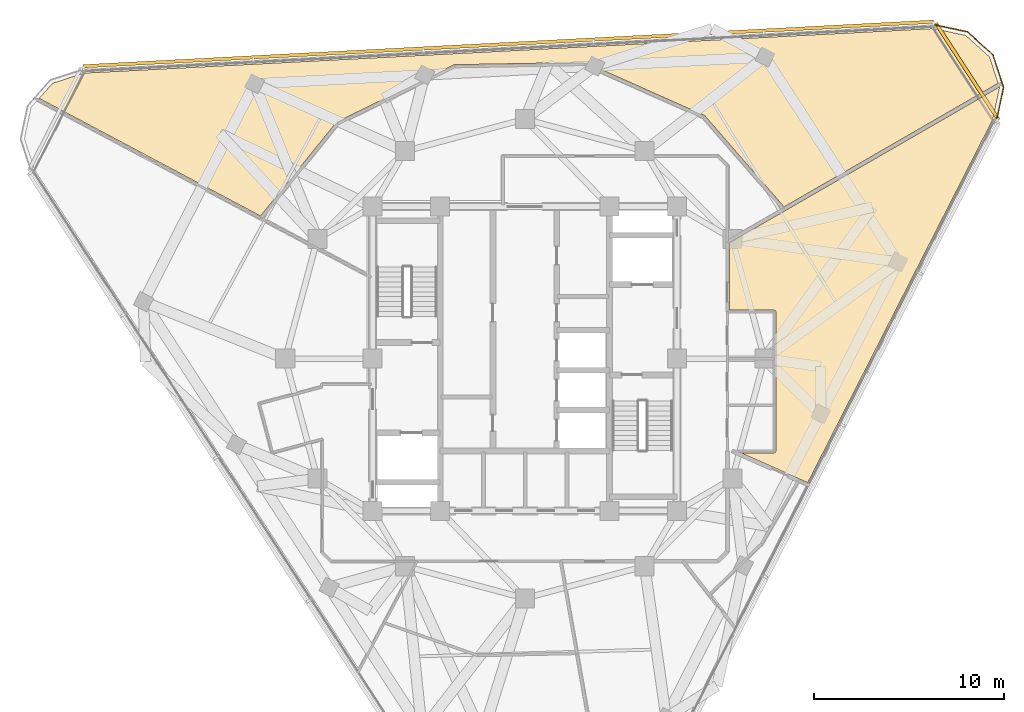
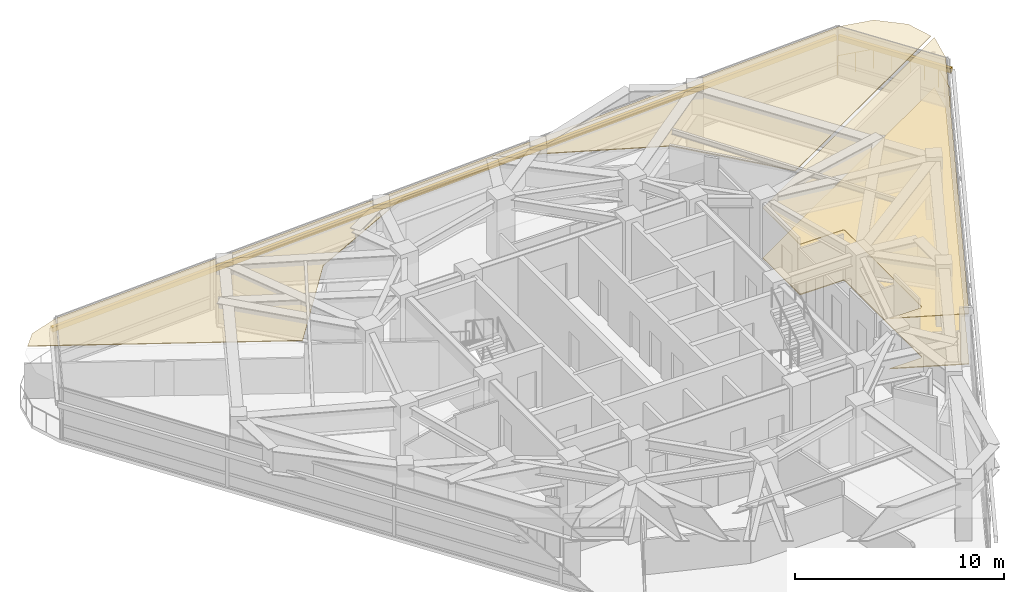
# One storey, part 15 of 15: 3 coverings, 2 shading devices, 1 railing.
"""IFC4 building model written with IfcOpenShell, lengths in metres."""

import ifcopenshell
import ifcopenshell.guid

model = None  # the IFC model being written
_history = None  # IfcOwnerHistory: only IFC2X3 demands one
_inside = {}  # id of a spatial element -> (the spatial element, [elements in it])
_under = {}  # id of a project, library or spatial element -> (it, [spatial elements below it])
_declared = {}  # id of a project -> (the project, [libraries it declares])
_typed = {}  # id of a type object -> (the type object, [elements of that type])
_made_of = {}  # id of a material, layer set ... -> (it, [elements and type objects made of it])


def new_model(schema):
    """Start an empty IFC model of exactly this schema.

    Asked for "IFC4X3", IfcOpenShell would pick the latest addendum, in which some entities
    have other attributes; the version numbers below select the first issue.
    IFC2X3 requires an IfcOwnerHistory on every rooted entity: one is made here for all.
    """
    global model, _history
    if schema == "IFC4X3":
        model = ifcopenshell.file(schema_version=(4, 3, 0, 0))
    else:
        model = ifcopenshell.file(schema=schema)
    _inside.clear()
    _under.clear()
    _declared.clear()
    _typed.clear()
    _made_of.clear()
    _history = None
    if model.schema == "IFC2X3":
        org = make("IfcOrganization", Name="unknown")
        user = make(
            "IfcPersonAndOrganization",
            ThePerson=make("IfcPerson", FamilyName="unknown"),
            TheOrganization=org,
        )
        app = make(
            "IfcApplication",
            ApplicationDeveloper=org,
            Version="unknown",
            ApplicationFullName="unknown",
            ApplicationIdentifier="unknown",
        )
        _history = make(
            "IfcOwnerHistory",
            OwningUser=user,
            OwningApplication=app,
            ChangeAction="ADDED",
            CreationDate=0,
        )
    return model


def make(cls, **values):
    """One entity of the class cls with the attributes given. An attribute that is None is left unset."""
    return model.create_entity(
        cls, **{name: value for name, value in values.items() if value is not None}
    )


def rooted(cls, **values):
    """An entity with a GlobalId (a new one), such as an element, a storey or a relation."""
    return make(cls, GlobalId=ifcopenshell.guid.new(), OwnerHistory=_history, **values)


def si_unit(unit_type, name, prefix=None):
    """IfcSIUnit, for example si_unit("LENGTHUNIT", "METRE", prefix="MILLI")."""
    return make("IfcSIUnit", UnitType=unit_type, Prefix=prefix, Name=name)


def assignment(units):
    """IfcUnitAssignment: the units of a project."""
    return None if units is None else make("IfcUnitAssignment", Units=units)


def point(xyz):
    """IfcCartesianPoint."""
    return None if xyz is None else make("IfcCartesianPoint", Coordinates=xyz)


def direction(xyz):
    """IfcDirection."""
    return None if xyz is None else make("IfcDirection", DirectionRatios=xyz)


def frame(location, z_axis=None, x_axis=None):
    """IfcAxis2Placement3D, a coordinate frame: its origin and axes. An axis left out is left unset."""
    return make(
        "IfcAxis2Placement3D",
        Location=point(location),
        Axis=direction(z_axis),
        RefDirection=direction(x_axis),
    )


def frame_2d(location, x_axis=None):
    """IfcAxis2Placement2D, a coordinate frame in the plane: its origin and x axis."""
    return make(
        "IfcAxis2Placement2D", Location=point(location), RefDirection=direction(x_axis)
    )


def origin():
    """The frame at (0, 0, 0) with its axes left unset."""
    return frame((0.0, 0.0, 0.0))


def origin_2d():
    """The frame at (0, 0) in the plane with its x axis left unset."""
    return frame_2d((0.0, 0.0))


def place(relative_to, where):
    """IfcLocalPlacement: puts the frame where relative to a parent placement (None: the world)."""
    return make(
        "IfcLocalPlacement", PlacementRelTo=relative_to, RelativePlacement=where
    )


def context(
    kind, dimensions, precision=None, world=None, true_north=None, identifier=None
):
    """IfcGeometricRepresentationContext, for example the 3D "Model" context."""
    return make(
        "IfcGeometricRepresentationContext",
        ContextIdentifier=identifier,
        ContextType=kind,
        CoordinateSpaceDimension=dimensions,
        Precision=precision,
        WorldCoordinateSystem=world,
        TrueNorth=true_north,
    )


def subcontext(parent, identifier, kind, view, scale=None):
    """IfcGeometricRepresentationSubContext, for example "Body" below "Model"."""
    return make(
        "IfcGeometricRepresentationSubContext",
        ContextIdentifier=identifier,
        ContextType=kind,
        ParentContext=parent,
        TargetScale=scale,
        TargetView=view,
    )


def project(units=None, contexts=None):
    """IfcProject with its units and contexts."""
    return rooted(
        "IfcProject",
        Name="project",
        RepresentationContexts=contexts,
        UnitsInContext=assignment(units),
    )


def spatial(cls, under=None, at=None, **own):
    """A site, building, storey or space (cls), placed at a placement, below another one or the project."""
    s = rooted(cls, ObjectPlacement=at, **own)
    if under is not None:
        _under.setdefault(under.id(), (under, []))[1].append(s)
    return s


def polyline(points):
    """IfcPolyline through the points."""
    return make("IfcPolyline", Points=[point(p) for p in points])


def profile(cls, at=None, kind="AREA", **sizes):
    """A parametric profile (cls). Its sizes go by their IFC names, for example OverallWidth=200.0."""
    return make(cls, ProfileType=kind, Position=at, **sizes)


def rectangle(**sizes):
    """IfcRectangleProfileDef."""
    return profile("IfcRectangleProfileDef", **sizes)


def circle(**sizes):
    """IfcCircleProfileDef."""
    return profile("IfcCircleProfileDef", **sizes)


def outline(outer, holes=None, kind="AREA"):
    """IfcArbitraryClosedProfileDef: a profile drawn as a closed curve; with holes, ...WithVoids."""
    if holes is None:
        return make("IfcArbitraryClosedProfileDef", ProfileType=kind, OuterCurve=outer)
    return make(
        "IfcArbitraryProfileDefWithVoids",
        ProfileType=kind,
        OuterCurve=outer,
        InnerCurves=holes,
    )


def extrude(swept, where, along, depth):
    """IfcExtrudedAreaSolid: the profile swept, set in the frame where, extruded along a direction by depth."""
    return make(
        "IfcExtrudedAreaSolid",
        SweptArea=swept,
        Position=where,
        ExtrudedDirection=direction(along),
        Depth=depth,
    )


def shape(context_of_items, identifier, shape_type, items):
    """IfcShapeRepresentation: the items that make up one representation, for example the "Body"."""
    return make(
        "IfcShapeRepresentation",
        ContextOfItems=context_of_items,
        RepresentationIdentifier=identifier,
        RepresentationType=shape_type,
        Items=items,
    )


def material(Name=None, Category=None):
    """IfcMaterial."""
    return make("IfcMaterial", Name=Name, Category=Category)


def layer(
    of_material, thickness, ventilated=None, Name=None, Category=None, Priority=None
):
    """IfcMaterialLayer: one layer of a wall or slab, of a material (None: an air gap)."""
    return make(
        "IfcMaterialLayer",
        Material=of_material,
        LayerThickness=thickness,
        IsVentilated=ventilated,
        Name=Name,
        Category=Category,
        Priority=Priority,
    )


def layer_set(layers, Name=None):
    """IfcMaterialLayerSet."""
    return make("IfcMaterialLayerSet", MaterialLayers=layers, LayerSetName=Name)


def made_of(thing, what):
    """Note that an element or type object is made of a material, layer set ...; save() writes the relation."""
    if what is not None:
        _made_of.setdefault(what.id(), (what, []))[1].append(thing)
    return thing


def type_object(cls, material=None, **own):
    """A type object (cls), such as IfcWallType, which elements share."""
    return made_of(rooted(cls, **own), material)


def element(
    cls,
    number,
    at=None,
    inside=None,
    cuts=None,
    type_object=None,
    material=None,
    context=None,
    identifier="Body",
    shape_type=None,
    held_by="IfcProductDefinitionShape",
    body=None,
    shapes=None,
    **own,
):
    """One element of the class cls, such as IfcWall. Its Tag is "e" and its number.

    at: its placement. inside: the storey or other place that contains it. cuts: it is an
    opening in that element (IfcRelVoidsElement). A single representation is given by context,
    identifier, shape_type and body (its items); several are given by shapes. held_by: the class
    of the entity that holds the representations. save() writes the other relations.
    """
    e = rooted(cls, Tag="e%d" % number, ObjectPlacement=at, **own)
    if body is not None:
        shapes = [shape(context, identifier, shape_type, body)]
    if shapes is not None:
        e.Representation = make(held_by, Representations=shapes)
    if inside is not None:
        _inside.setdefault(inside.id(), (inside, []))[1].append(e)
    if cuts is not None:
        rooted(
            "IfcRelVoidsElement", RelatingBuildingElement=cuts, RelatedOpeningElement=e
        )
    if type_object is not None:
        _typed.setdefault(type_object.id(), (type_object, []))[1].append(e)
    return made_of(e, material)


def aggregate(whole, parts):
    """IfcRelAggregates: a whole, such as a stair, and the parts it consists of."""
    return rooted("IfcRelAggregates", RelatingObject=whole, RelatedObjects=parts)


def save(model, path):
    """Write the relations noted so far, then the file.

    IfcRelAggregates (storeys below a building ...), IfcRelContainedInSpatialStructure (elements
    in a storey), IfcRelDefinesByType, IfcRelAssociatesMaterial and IfcRelDeclares: one each for
    every whole, place, type object, material and project.
    """
    for whole, parts in _under.values():
        aggregate(whole, parts)
    for where, things in _inside.values():
        rooted(
            "IfcRelContainedInSpatialStructure",
            RelatedElements=things,
            RelatingStructure=where,
        )
    for kind, things in _typed.values():
        rooted("IfcRelDefinesByType", RelatedObjects=things, RelatingType=kind)
    for what, things in _made_of.values():
        rooted("IfcRelAssociatesMaterial", RelatedObjects=things, RelatingMaterial=what)
    for by, libraries in _declared.values():
        rooted("IfcRelDeclares", RelatingContext=by, RelatedDefinitions=libraries)
    model.write(path)


model = new_model("IFC4")

# Units and contexts
model_context = context("Model", 3, precision=1e-05, world=origin(), true_north=direction((0.0, 1.0)))
body_context = subcontext(model_context, "Body", "Model", "MODEL_VIEW")
ifc_project = project(units=[si_unit("LENGTHUNIT", "METRE"), si_unit("AREAUNIT", "SQUARE_METRE"), si_unit("VOLUMEUNIT", "CUBIC_METRE"), si_unit("PLANEANGLEUNIT", "RADIAN"), si_unit("MASSUNIT", "GRAM", prefix="KILO")], contexts=[model_context])

# Site, building, storey
site_placement = place(None, origin())
site = spatial("IfcSite", under=ifc_project, at=site_placement, CompositionType="ELEMENT")
building_placement = place(site_placement, origin())
building = spatial("IfcBuilding", under=site, at=building_placement, Name="Terralouvre Media Tower", CompositionType="ELEMENT")
storey_placement = place(building_placement, frame((0.0, 0.0, 274.39990234375)))
storey = spatial("IfcBuildingStorey", under=building, at=storey_placement, Name="L71", CompositionType="ELEMENT", Elevation=274.39990234375)

# Coverings
ifc_material_1 = material(Name="Resilient elastomer acoustic broadcast studio flooring")
ifc_layer_1 = layer(ifc_material_1, 0.050048828125, Name="Broadcast Studio Acoustic Floating Floor FL-AC1")
ifc_layer_set_1 = layer_set([ifc_layer_1], Name="Resilient elastomer acoustic broadcast studio flooring")
covering_type_1 = type_object("IfcCoveringType", Name="Broadcast Studio Acoustic Floating Floor FL-AC1", PredefinedType="FLOORING", material=ifc_layer_set_1)
covering_1_placement = place(storey_placement, frame((0.0, 0.0, 0.0), z_axis=(0.0, 0.0, 1.0), x_axis=(0.45399049974, 0.891006524188, 0.0)))
element("IfcCovering", 1, at=covering_1_placement, inside=storey, type_object=covering_type_1, Name="L71 Preview Screening Cinema 7 Acoustic Floating Floor", PredefinedType="FLOORING", context=body_context, shape_type="SweptSolid", body=[
    extrude(outline(polyline([(10.307861328125, -6.81298828125), (7.15234375, -8.420654296875), (8.21923828125, -10.514404296875), (8.223388671875, -10.5234375), (8.2265625, -10.53271484375), (8.228759765625, -10.542236328125), (8.22998046875, -10.552001953125), (8.230224609375, -10.561767578125), (8.2294921875, -10.57177734375), (8.227783203125, -10.581298828125), (8.225341796875, -10.5908203125), (8.221923828125, -10.60009765625), (8.217529296875, -10.608642578125), (8.212158203125, -10.6171875), (8.206298828125, -10.624755859375), (8.199462890625, -10.632080078125), (8.192138671875, -10.638427734375), (8.18408203125, -10.64404296875), (8.175537109375, -10.64892578125), (1.67138671875, -13.963134765625), (1.662353515625, -13.967041015625), (1.653076171875, -13.97021484375), (1.6435546875, -13.972412109375), (1.6337890625, -13.973876953125), (1.6240234375, -13.97412109375), (1.614013671875, -13.973388671875), (1.6044921875, -13.9716796875), (1.594970703125, -13.96923828125), (1.585693359375, -13.965576171875), (1.5771484375, -13.96142578125), (1.568603515625, -13.9560546875), (1.56103515625, -13.9501953125), (1.5537109375, -13.943359375), (1.54736328125, -13.93603515625), (1.541748046875, -13.927978515625), (1.536865234375, -13.91943359375), (0.74853515625, -12.372314453125), (0.924072265625, -15.722900390625), (0.949951171875, -16.212890625), (22.371337890625, -16.212646484375), (24.036376953125, -15.766845703125), (24.0595703125, -15.743408203125), (13.12451171875, -8.642578125), (10.307861328125, -6.81298828125)])), origin(), (0.0, 0.0, 1.0), 0.050048828125),
])
ifc_material_2 = material(Name="Perforated aluminium acoustic ceiling baffle", Category="aluminium")
ifc_layer_2 = layer(ifc_material_2, 0.0400390625, Name="Perforated Acoustic Metal Tile Ceiling CL-AC1")
ifc_layer_set_2 = layer_set([ifc_layer_2], Name="Perforated aluminium acoustic ceiling baffle")
covering_type_2 = type_object("IfcCoveringType", Name="Perforated Acoustic Metal Tile Ceiling CL-AC1", PredefinedType="CEILING", material=ifc_layer_set_2)
covering_2_placement = place(storey_placement, frame((0.0, 0.0, 2.940185546875), z_axis=(0.0, 0.0, 1.0), x_axis=(0.45399049974, 0.891006524188, 0.0)))
element("IfcCovering", 2, at=covering_2_placement, inside=storey, type_object=covering_type_2, Name="L71 Preview Screening Cinema 7 Acoustic Ceiling", PredefinedType="CEILING", context=body_context, shape_type="SweptSolid", body=[
    extrude(outline(polyline([(10.307861328125, -6.81298828125), (7.15234375, -8.420654296875), (8.21923828125, -10.514404296875), (8.223388671875, -10.5234375), (8.2265625, -10.53271484375), (8.228759765625, -10.542236328125), (8.22998046875, -10.552001953125), (8.230224609375, -10.561767578125), (8.2294921875, -10.57177734375), (8.227783203125, -10.581298828125), (8.225341796875, -10.5908203125), (8.221923828125, -10.60009765625), (8.217529296875, -10.608642578125), (8.212158203125, -10.6171875), (8.206298828125, -10.624755859375), (8.199462890625, -10.632080078125), (8.192138671875, -10.638427734375), (8.18408203125, -10.64404296875), (8.175537109375, -10.64892578125), (1.67138671875, -13.963134765625), (1.662353515625, -13.967041015625), (1.653076171875, -13.97021484375), (1.6435546875, -13.972412109375), (1.6337890625, -13.973876953125), (1.6240234375, -13.97412109375), (1.614013671875, -13.973388671875), (1.6044921875, -13.9716796875), (1.594970703125, -13.96923828125), (1.585693359375, -13.965576171875), (1.5771484375, -13.96142578125), (1.568603515625, -13.9560546875), (1.56103515625, -13.9501953125), (1.5537109375, -13.943359375), (1.54736328125, -13.93603515625), (1.541748046875, -13.927978515625), (1.536865234375, -13.91943359375), (0.74853515625, -12.372314453125), (0.924072265625, -15.722900390625), (0.949951171875, -16.212890625), (22.371337890625, -16.212646484375), (24.036376953125, -15.766845703125), (24.0595703125, -15.743408203125), (13.12451171875, -8.642578125), (10.307861328125, -6.81298828125)])), origin(), (0.0, 0.0, 1.0), 0.039794921875),
])
covering_3_placement = place(storey_placement, frame((0.0, 0.0, 2.940185546875), z_axis=(0.0, 0.0, 1.0), x_axis=(0.45399049974, 0.891006524188, 0.0)))
element("IfcCovering", 3, at=covering_3_placement, inside=storey, type_object=covering_type_2, Name="L71 Creative Set Workshop 8 Acoustic Ceiling", PredefinedType="CEILING", context=body_context, shape_type="SweptSolid", body=[
    extrude(outline(polyline([(6.572509765625, 14.475341796875), (6.583251953125, 14.472412109375), (6.59326171875, 14.468505859375), (6.60302734375, 14.463623046875), (6.612060546875, 14.457275390625), (12.074462890625, 10.340576171875), (12.082763671875, 10.33349609375), (12.09033203125, 10.32568359375), (12.096923828125, 10.31689453125), (12.1025390625, 10.3076171875), (15.313720703125, 4.26953125), (15.318359375, 4.259521484375), (15.32177734375, 4.249267578125), (15.32421875, 4.238525390625), (15.325439453125, 4.227783203125), (15.68310546875, -2.602294921875), (15.68310546875, -2.61328125), (15.681884765625, -2.6240234375), (15.679443359375, -2.634765625), (15.676025390625, -2.64501953125), (13.302490234375, -8.519775390625), (24.203857421875, -15.5986328125), (25.234130859375, -14.569091796875), (25.672119140625, -12.9326171875), (25.226318359375, -11.267578125), (2.855224609375, 27.47998046875), (1.63623046875, 28.699462890625), (0.605712890625, 28.97509765625), (0.375244140625, 15.79248046875), (6.572509765625, 14.475341796875)])), origin(), (0.0, 0.0, 1.0), 0.039794921875),
])

# Railing
ifc_material_3 = material(Name="Stainless steel 316 handrail and balustrade", Category="steel")
ifc_layer_3 = layer(ifc_material_3, 0.06005859375, Name="Roof Edge Safety Guardrail GR-ROOF1")
ifc_layer_set_3 = layer_set([ifc_layer_3], Name="Stainless steel 316 handrail and balustrade")
railing_type = type_object("IfcRailingType", Name="Roof Edge Safety Guardrail GR-ROOF1", PredefinedType="GUARDRAIL", material=ifc_layer_set_3)
railing_placement = place(storey_placement, frame((24.797607421875, 12.491455078125, 0.0)))
element("IfcRailing", 4, at=railing_placement, inside=storey, type_object=railing_type, Name="L71 Wind-Corner Perimeter Safety Guardrail C1", PredefinedType="GUARDRAIL", context=body_context, shape_type="SweptSolid", body=[
    extrude(circle(Radius=0.02099609375, at=origin_2d()), frame((0.0, 0.0, 1.12890625), z_axis=(0.208129595218, 0.978101258354, 0.0), x_axis=(-0.978101258354, 0.208129595218, 0.0)), (0.0, 0.0, 1.0), 1.81103515625),
    extrude(circle(Radius=0.02099609375, at=origin_2d()), frame((0.376953125, 1.771484375, 1.12890625), z_axis=(-0.308857436997, 0.951108344833, 0.0), x_axis=(-0.951108344833, -0.308857436997, 0.0)), (0.0, 0.0, 1.0), 1.81103515625),
    extrude(circle(Radius=0.02099609375, at=origin_2d()), frame((-0.182373046875, 3.493896484375, 1.12890625), z_axis=(-0.743274034333, 0.668987077518, 0.0), x_axis=(-0.668987077518, -0.743274034333, 0.0)), (0.0, 0.0, 1.0), 1.810791015625),
    extrude(circle(Radius=0.02099609375, at=origin_2d()), frame((-1.5283203125, 4.705322265625, 1.12890625), z_axis=(-0.97818932942, 0.207715275821, 0.0), x_axis=(-0.207715275821, -0.97818932942, 0.0)), (0.0, 0.0, 1.0), 1.811279296875),
    extrude(circle(Radius=0.01904296875, at=origin_2d()), origin(), (0.0, 0.0, 1.0), 1.10791015625),
    extrude(circle(Radius=0.01904296875, at=origin_2d()), frame((0.1884765625, 0.8857421875, 0.0)), (0.0, 0.0, 1.0), 1.10791015625),
    extrude(circle(Radius=0.01904296875, at=origin_2d()), frame((0.376953125, 1.771484375, 0.0)), (0.0, 0.0, 1.0), 1.10791015625),
    extrude(circle(Radius=0.01904296875, at=origin_2d()), frame((0.09716796875, 2.6328125, 0.0)), (0.0, 0.0, 1.0), 1.10791015625),
    extrude(circle(Radius=0.01904296875, at=origin_2d()), frame((-0.182373046875, 3.493896484375, 0.0)), (0.0, 0.0, 1.0), 1.10791015625),
    extrude(circle(Radius=0.01904296875, at=origin_2d()), frame((-0.85546875, 4.099609375, 0.0)), (0.0, 0.0, 1.0), 1.10791015625),
    extrude(circle(Radius=0.01904296875, at=origin_2d()), frame((-1.5283203125, 4.705322265625, 0.0)), (0.0, 0.0, 1.0), 1.10791015625),
    extrude(circle(Radius=0.01904296875, at=origin_2d()), frame((-2.4140625, 4.8935546875, 0.0)), (0.0, 0.0, 1.0), 1.10791015625),
    extrude(circle(Radius=0.01904296875, at=origin_2d()), frame((-3.300048828125, 5.08154296875, 0.0)), (0.0, 0.0, 1.0), 1.10791015625),
])

# Shading devices
ifc_material_4 = material(Name="Extruded terracotta baguette sunshade louvres", Category="masonry")
shading_device_type = type_object("IfcShadingDeviceType", Name="Terracotta Baguette Sunshade Louvre Screen TB-LV1", PredefinedType="USERDEFINED", material=ifc_material_4)
shading_device_1_placement = place(storey_placement, frame((-0.867431640625, 16.550048828125, 1.99951171875), z_axis=(0.0, 0.0, 1.0), x_axis=(-0.998629523875, -0.052336163844, 0.0)))
element("IfcShadingDevice", 5, at=shading_device_1_placement, inside=storey, type_object=shading_device_type, Name="CW-L71-F1 Terracotta Baguette Sunshade Louvre", ObjectType="BAGUETTE", PredefinedType="USERDEFINED", context=body_context, shape_type="SweptSolid", body=[
    extrude(rectangle(XDim=44.800048828125, YDim=0.179931640625, at=origin_2d()), origin(), (0.0, 0.0, 1.0), 0.280029296875),
])
shading_device_2_placement = place(storey_placement, frame((23.2607421875, 15.105712890625, 1.99951171875), z_axis=(0.0, 0.0, 1.0), x_axis=(-0.544639197097, 0.838670462688, 0.0)))
element("IfcShadingDevice", 6, at=shading_device_2_placement, inside=storey, type_object=shading_device_type, Name="CW-L71-C1 Terracotta Baguette Sunshade Louvre", ObjectType="BAGUETTE", PredefinedType="USERDEFINED", context=body_context, shape_type="SweptSolid", body=[
    extrude(rectangle(XDim=6.062255859375, YDim=0.179931640625, at=origin_2d()), origin(), (0.0, 0.0, 1.0), 0.280029296875),
])

save(model, "model.ifc")
